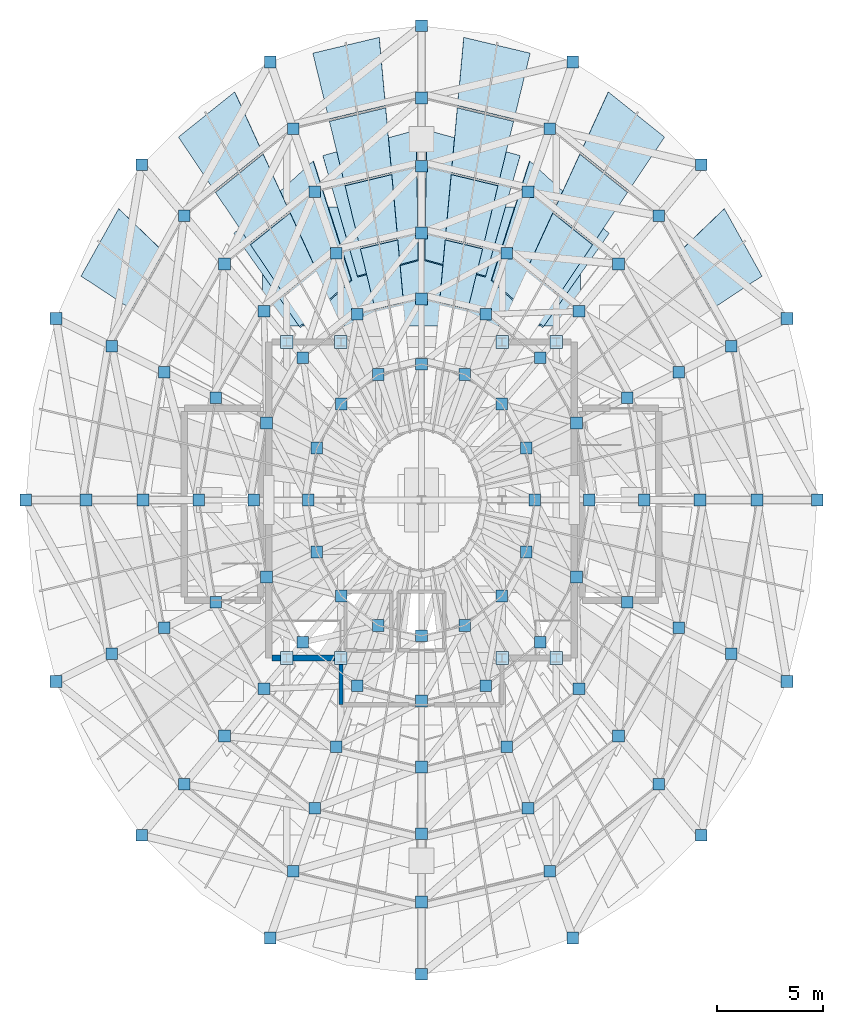
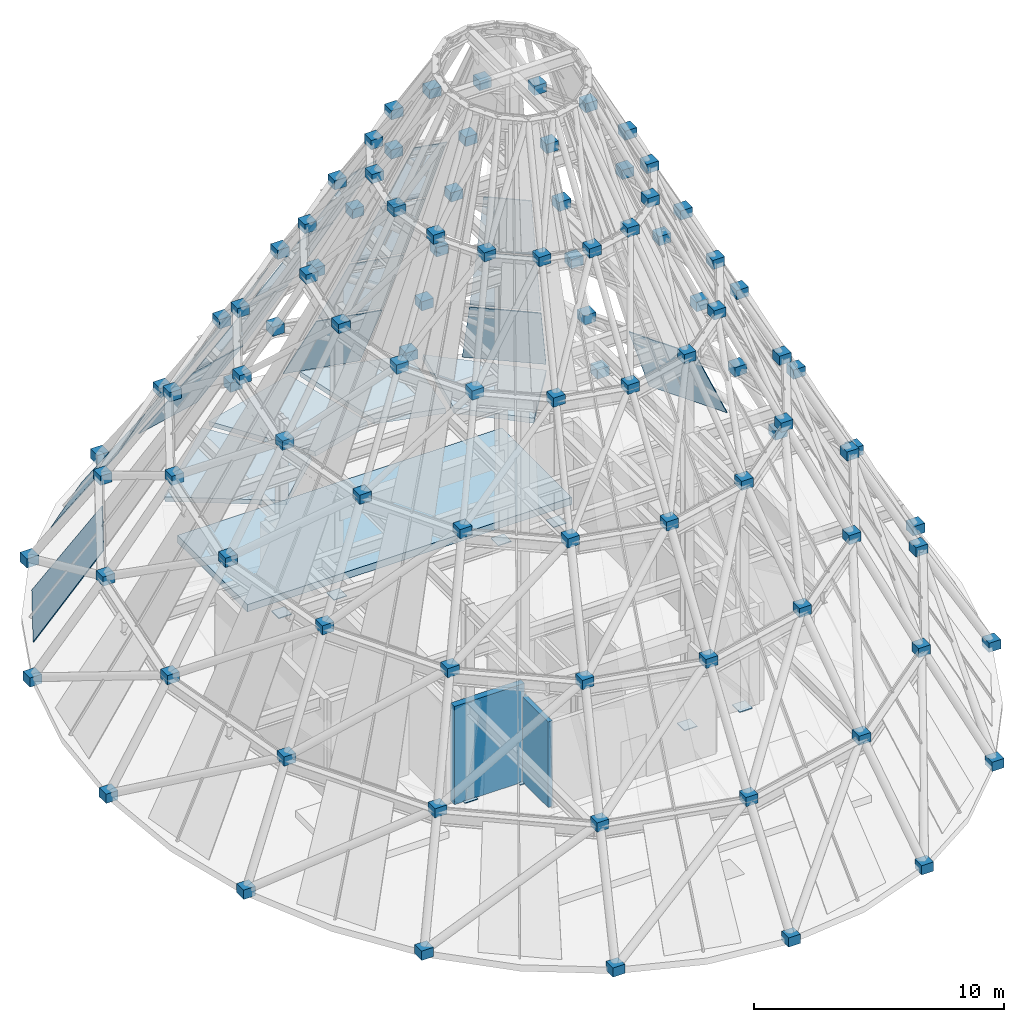
# One storey, part 13 of 16: 120 plates, 5 slabs, 2 walls, 4 elements without a shape of their own.
"""IFC4 building model written with IfcOpenShell, lengths in metres."""

from ifc_helpers import new_model, si_unit, direction, frame, frame_2d, origin, origin_2d, place, context, subcontext, project, spatial, polyline, rectangle, outline, extrude, material, layer, layer_set, type_object, element, aggregate, save


model = new_model("IFC4")

# Units and contexts
model_context = context("Model", 3, precision=1e-05, world=origin(), true_north=direction((0.0, 1.0)))
body_context = subcontext(model_context, "Body", "Model", "MODEL_VIEW")
ifc_project = project(units=[si_unit("LENGTHUNIT", "METRE"), si_unit("AREAUNIT", "SQUARE_METRE"), si_unit("VOLUMEUNIT", "CUBIC_METRE"), si_unit("PLANEANGLEUNIT", "RADIAN"), si_unit("MASSUNIT", "GRAM", prefix="KILO")], contexts=[model_context])

# Site, building, storey
site_placement = place(None, origin())
site = spatial("IfcSite", under=ifc_project, at=site_placement, CompositionType="ELEMENT")
building_placement = place(site_placement, origin())
building = spatial("IfcBuilding", under=site, at=building_placement, Name="Veldorina Hangang Commons", CompositionType="ELEMENT")
storey_placement = place(building_placement, frame((0.0, 0.0, 308.39990234375)))
storey = spatial("IfcBuildingStorey", under=building, at=storey_placement, Name="Crown", CompositionType="ELEMENT", Elevation=308.39990234375)

# Curtain wall, plates
ifc_material_1 = material(Name="Glass Low-Iron Laminated", Category="glass")
ifc_layer_1 = layer(ifc_material_1, 0.179931640625)
ifc_layer_set_1 = layer_set([ifc_layer_1], Name="Glass Low-Iron Laminated")
curtain_wall_type = type_object("IfcCurtainWallType", Name="CW-SYS-CRN", PredefinedType="NOTDEFINED", material=ifc_layer_set_1)
curtain_wall_1_placement = place(storey_placement, origin())
curtain_wall_1 = element("IfcCurtainWall", 1, at=curtain_wall_1_placement, inside=storey, type_object=curtain_wall_type, Name="Crown glass-point sloped pyramidal curtain wall tier 1", PredefinedType="NOTDEFINED")
ifc_layer_2 = layer(ifc_material_1, 0.035888671875)
ifc_layer_set_2 = layer_set([ifc_layer_2], Name="Glass Low-Iron Laminated")
plate_type_1 = type_object("IfcPlateType", Name="CW-PNL-CRN", PredefinedType="CURTAIN_PANEL", material=ifc_layer_set_2)
plate_1_placement = place(storey_placement, frame((48.04931640625, 34.551025390625, 0.09619140625), z_axis=(0.745891079504, 0.415883856679, 0.52027599913), x_axis=(-0.486984811339, 0.873410438182, 6.24931e-07)))
plate_1 = element("IfcPlate", 2, at=plate_1_placement, type_object=plate_type_1, Name="CW-CRN-T1 sloped laminated glass facet 2", PredefinedType="CURTAIN_PANEL", context=body_context, shape_type="SweptSolid", body=[
    extrude(outline(polyline([(0.0, 0.0), (3.6416015625, 0.0), (2.90283203125, 5.395751953125), (-0.205078125, 5.395751953125), (0.0, 0.0)])), origin(), (0.0, 0.0, -1.0), 0.035888671875),
])
plate_2_placement = place(storey_placement, frame((43.45849609375, 41.108154296875, 0.09619140625), z_axis=(0.523450971717, 0.653737869914, 0.546466721447), x_axis=(-0.780603142251, 0.625026986828, 6.701832e-06)))
plate_2 = element("IfcPlate", 3, at=plate_2_placement, type_object=plate_type_1, Name="CW-CRN-T1 sloped laminated glass facet 3", PredefinedType="CURTAIN_PANEL", context=body_context, shape_type="SweptSolid", body=[
    extrude(outline(polyline([(0.0, 0.0), (3.400390625, 0.0), (2.645751953125, 5.502197265625), (-0.25634765625, 5.502197265625), (0.0, 0.0)])), origin(), (0.0, 0.0, -1.0), 0.035888671875),
])
plate_3_placement = place(storey_placement, frame((37.123046875, 45.060791015625, 0.09619140625), z_axis=(0.19088125261, 0.800892584871, 0.567569744526), x_axis=(-0.972750279319, 0.231855329204, -2.0124626e-05)))
plate_3 = element("IfcPlate", 4, at=plate_3_placement, type_object=plate_type_1, Name="CW-CRN-T1 sloped laminated glass facet 4", PredefinedType="CURTAIN_PANEL", context=body_context, shape_type="SweptSolid", body=[
    extrude(outline(polyline([(0.0, 0.0), (3.218505859375, 0.0), (2.761474609375, 5.5966796875), (0.0146484375, 5.5966796875), (0.0, 0.0)])), origin(), (0.0, 0.0, -1.0), 0.035888671875),
])
plate_4_placement = place(storey_placement, frame((30.0078125, 45.80712890625, 0.09619140625), z_axis=(-0.19088125261, 0.800892584871, 0.567569744526), x_axis=(-0.972750279319, -0.231855329204, 2.0124626e-05)))
plate_4 = element("IfcPlate", 5, at=plate_4_placement, type_object=plate_type_1, Name="CW-CRN-T1 sloped laminated glass facet 5", PredefinedType="CURTAIN_PANEL", context=body_context, shape_type="SweptSolid", body=[
    extrude(outline(polyline([(0.0, 0.0), (3.218505859375, 0.0), (3.2041015625, 5.5966796875), (0.45703125, 5.5966796875), (0.0, 0.0)])), origin(), (0.0, 0.0, -1.0), 0.035888671875),
])
plate_5_placement = place(storey_placement, frame((23.19580078125, 43.2333984375, 0.09619140625), z_axis=(-0.523450971717, 0.653737869914, 0.546466721447), x_axis=(-0.780603142251, -0.625026986828, -6.701832e-06)))
plate_5 = element("IfcPlate", 6, at=plate_5_placement, type_object=plate_type_1, Name="CW-CRN-T1 sloped laminated glass facet 6", PredefinedType="CURTAIN_PANEL", context=body_context, shape_type="SweptSolid", body=[
    extrude(outline(polyline([(0.0, 0.0), (3.400390625, 0.0), (3.656494140625, 5.502197265625), (0.75439453125, 5.502197265625), (0.0, 0.0)])), origin(), (0.0, 0.0, -1.0), 0.035888671875),
])
plate_6_placement = place(storey_placement, frame((17.72412109375, 37.731689453125, 0.09619140625), z_axis=(-0.745891079504, 0.415883856679, 0.52027599913), x_axis=(-0.486984811339, -0.873410438182, -6.24931e-07)))
plate_6 = element("IfcPlate", 7, at=plate_6_placement, type_object=plate_type_1, Name="CW-CRN-T1 sloped laminated glass facet 7", PredefinedType="CURTAIN_PANEL", context=body_context, shape_type="SweptSolid", body=[
    extrude(outline(polyline([(0.0, 0.0), (3.6416015625, 0.0), (3.8466796875, 5.395751953125), (0.739013671875, 5.395751953125), (0.0, 0.0)])), origin(), (0.0, 0.0, -1.0), 0.035888671875),
])
aggregate(curtain_wall_1, [plate_1, plate_2, plate_3, plate_4, plate_5, plate_6])

curtain_wall_2_placement = place(storey_placement, origin())
curtain_wall_2 = element("IfcCurtainWall", 8, at=curtain_wall_2_placement, inside=storey, type_object=curtain_wall_type, Name="Crown glass-point sloped pyramidal curtain wall tier 2", PredefinedType="NOTDEFINED")
plate_7_placement = place(storey_placement, frame((41.711181640625, 38.499267578125, 4.89599609375), z_axis=(0.531988143177, 0.664376631649, 0.524968862732), x_axis=(-0.780589159921, 0.625044449149, -1.42482e-06)))
plate_7 = element("IfcPlate", 9, at=plate_7_placement, type_object=plate_type_1, Name="CW-CRN-T2 sloped laminated glass facet 3", PredefinedType="CURTAIN_PANEL", context=body_context, shape_type="SweptSolid", body=[
    extrude(outline(polyline([(0.0, 0.0), (2.8818359375, 0.0), (2.16845703125, 5.414306640625), (-0.242431640625, 5.414306640625), (0.0, 0.0)])), origin(), (0.0, 0.0, -1.0), 0.035888671875),
])
plate_8_placement = place(storey_placement, frame((36.341796875, 41.84912109375, 4.89599609375), z_axis=(0.194323465566, 0.814982569707, 0.545932048705), x_axis=(-0.972732985938, 0.23192787213, 1.4052451e-05)))
plate_8 = element("IfcPlate", 10, at=plate_8_placement, type_object=plate_type_1, Name="CW-CRN-T2 sloped laminated glass facet 4", PredefinedType="CURTAIN_PANEL", context=body_context, shape_type="SweptSolid", body=[
    extrude(outline(polyline([(0.0, 0.0), (2.727783203125, 0.0), (2.29541015625, 5.5), (0.013671875, 5.500244140625), (0.0, 0.0)])), origin(), (0.0, 0.0, -1.0), 0.035888671875),
])
plate_9_placement = place(storey_placement, frame((30.3115234375, 42.481689453125, 4.89599609375), z_axis=(-0.194323465566, 0.814982569707, 0.545932048705), x_axis=(-0.972732985938, -0.23192787213, -1.4052451e-05)))
plate_9 = element("IfcPlate", 11, at=plate_9_placement, type_object=plate_type_1, Name="CW-CRN-T2 sloped laminated glass facet 5", PredefinedType="CURTAIN_PANEL", context=body_context, shape_type="SweptSolid", body=[
    extrude(outline(polyline([(0.0, 0.0), (2.727783203125, 0.0), (2.7138671875, 5.500244140625), (0.43212890625, 5.5), (0.0, 0.0)])), origin(), (0.0, 0.0, -1.0), 0.035888671875),
])
plate_10_placement = place(storey_placement, frame((24.538330078125, 40.300537109375, 4.89599609375), z_axis=(-0.531988143177, 0.664376631649, 0.524968862732), x_axis=(-0.780589159921, -0.625044449149, 1.42482e-06)))
plate_10 = element("IfcPlate", 12, at=plate_10_placement, type_object=plate_type_1, Name="CW-CRN-T2 sloped laminated glass facet 6", PredefinedType="CURTAIN_PANEL", context=body_context, shape_type="SweptSolid", body=[
    extrude(outline(polyline([(0.0, 0.0), (2.8818359375, 0.0), (3.1240234375, 5.414306640625), (0.71337890625, 5.414306640625), (0.0, 0.0)])), origin(), (0.0, 0.0, -1.0), 0.035888671875),
])
aggregate(curtain_wall_2, [plate_7, plate_8, plate_9, plate_10])

curtain_wall_3_placement = place(storey_placement, origin())
curtain_wall_3 = element("IfcCurtainWall", 13, at=curtain_wall_3_placement, inside=storey, type_object=curtain_wall_type, Name="Crown glass-point sloped pyramidal curtain wall tier 3", PredefinedType="NOTDEFINED")
plate_11_placement = place(storey_placement, frame((40.05810546875, 36.031494140625, 9.696044921875), z_axis=(0.535002377224, 0.668196785729, 0.516996626591), x_axis=(-0.780603073659, 0.625027071706, -3.2070288e-05)))
plate_11 = element("IfcPlate", 14, at=plate_11_placement, type_object=plate_type_1, Name="CW-CRN-T3 sloped laminated glass facet 3", PredefinedType="CURTAIN_PANEL", context=body_context, shape_type="SweptSolid", body=[
    extrude(outline(polyline([(0.0, 0.0), (2.39111328125, 0.0), (1.6923828125, 5.383544921875), (-0.237548828125, 5.38330078125), (0.0, 0.0)])), origin(), (0.0, 0.0, -1.0), 0.035888671875),
])
plate_12_placement = place(storey_placement, frame((35.602783203125, 38.811279296875, 9.696044921875), z_axis=(0.195447476594, 0.820034005811, 0.537907532208), x_axis=(-0.972754896713, 0.231835956301, 1.695825e-05)))
plate_12 = element("IfcPlate", 15, at=plate_12_placement, type_object=plate_type_1, Name="CW-CRN-T3 sloped laminated glass facet 4", PredefinedType="CURTAIN_PANEL", context=body_context, shape_type="SweptSolid", body=[
    extrude(outline(polyline([(0.0, 0.0), (2.263427734375, 0.0), (1.840576171875, 5.46630859375), (0.013916015625, 5.46630859375), (0.0, 0.0)])), origin(), (0.0, 0.0, -1.0), 0.035888671875),
])
plate_13_placement = place(storey_placement, frame((30.598876953125, 39.3359375, 9.696044921875), z_axis=(-0.195447476594, 0.820034005811, 0.537907532208), x_axis=(-0.972754896713, -0.231835956301, -1.695825e-05)))
plate_13 = element("IfcPlate", 16, at=plate_13_placement, type_object=plate_type_1, Name="CW-CRN-T3 sloped laminated glass facet 5", PredefinedType="CURTAIN_PANEL", context=body_context, shape_type="SweptSolid", body=[
    extrude(outline(polyline([(0.0, 0.0), (2.263427734375, 0.0), (2.24951171875, 5.46630859375), (0.4228515625, 5.46630859375), (0.0, 0.0)])), origin(), (0.0, 0.0, -1.0), 0.035888671875),
])
plate_14_placement = place(storey_placement, frame((25.808349609375, 37.526123046875, 9.696044921875), z_axis=(-0.535002377224, 0.668196785729, 0.516996626591), x_axis=(-0.780603073659, -0.625027071706, 3.2070288e-05)))
plate_14 = element("IfcPlate", 17, at=plate_14_placement, type_object=plate_type_1, Name="CW-CRN-T3 sloped laminated glass facet 6", PredefinedType="CURTAIN_PANEL", context=body_context, shape_type="SweptSolid", body=[
    extrude(outline(polyline([(0.0, 0.0), (2.39111328125, 0.0), (2.628662109375, 5.38330078125), (0.69873046875, 5.383544921875), (0.0, 0.0)])), origin(), (0.0, 0.0, -1.0), 0.035888671875),
])
aggregate(curtain_wall_3, [plate_11, plate_12, plate_13, plate_14])

curtain_wall_4_placement = place(storey_placement, origin())
curtain_wall_4 = element("IfcCurtainWall", 18, at=curtain_wall_4_placement, inside=storey, type_object=curtain_wall_type, Name="Crown glass-point sloped pyramidal curtain wall tier 4", PredefinedType="NOTDEFINED")
plate_15_placement = place(storey_placement, frame((34.87890625, 35.835693359375, 14.49609375), z_axis=(0.19626957727, 0.823204014874, 0.532741403435), x_axis=(-0.972735215517, 0.231918521206, 3.888876e-06)))
plate_15 = element("IfcPlate", 19, at=plate_15_placement, type_object=plate_type_1, Name="CW-CRN-T4 sloped laminated glass facet 4", PredefinedType="CURTAIN_PANEL", context=body_context, shape_type="SweptSolid", body=[
    extrude(outline(polyline([(0.0, 0.0), (1.80859375, 0.0), (1.39111328125, 5.44482421875), (0.01318359375, 5.44482421875), (0.0, 0.0)])), origin(), (0.0, 0.0, -1.0), 0.035888671875),
])
plate_16_placement = place(storey_placement, frame((30.88037109375, 36.255126953125, 14.49609375), z_axis=(-0.19626957727, 0.823204014874, 0.532741403435), x_axis=(-0.972735215517, -0.231918521206, -3.888876e-06)))
plate_16 = element("IfcPlate", 20, at=plate_16_placement, type_object=plate_type_1, Name="CW-CRN-T4 sloped laminated glass facet 5", PredefinedType="CURTAIN_PANEL", context=body_context, shape_type="SweptSolid", body=[
    extrude(outline(polyline([(0.0, 0.0), (1.80859375, 0.0), (1.79541015625, 5.44482421875), (0.41748046875, 5.44482421875), (0.0, 0.0)])), origin(), (0.0, 0.0, -1.0), 0.035888671875),
])
aggregate(curtain_wall_4, [plate_15, plate_16])

# Plates
ifc_material_2 = material(Name="Steel SM460-TMC", Category="steel")
ifc_layer_3 = layer(ifc_material_2, 0.035888671875)
ifc_layer_set_3 = layer_set([ifc_layer_3], Name="Steel SM460-TMC")
plate_type_2 = type_object("IfcPlateType", Name="PL-STAR-36", PredefinedType="USERDEFINED", material=ifc_layer_set_3)
for number, where, z_axis, x_axis, name in (
    (21, (25.64990234375, 16.550048828125, 0.0), (0.0, 0.0, 1.0), (1.0, 0.0, 0.0), "Crown tier 1 outer core post SW base gusset plate"),
    (22, (38.35009765625, 16.550048828125, 0.0), (0.0, 0.0, 1.0), (1.0, 0.0, 0.0), "Crown tier 1 outer core post SE base gusset plate"),
    (23, (25.64990234375, 31.449951171875, 0.0), (0.0, 0.0, 1.0), (1.0, 0.0, 0.0), "Crown tier 1 outer core post NW base gusset plate"),
    (24, (38.35009765625, 31.449951171875, 0.0), (0.0, 0.0, 1.0), (1.0, 0.0, 0.0), "Crown tier 1 outer core post NE base gusset plate"),
    (25, (28.199951171875, 16.550048828125, 0.0), (0.0, 0.0, 1.0), (1.0, 0.0, 0.0), "Crown tier 1 inner core post ISW base gusset plate"),
    (26, (35.800048828125, 16.550048828125, 0.0), (0.0, 0.0, 1.0), (1.0, 0.0, 0.0), "Crown tier 1 inner core post ISE base gusset plate"),
    (27, (28.199951171875, 31.449951171875, 0.0), (0.0, 0.0, 1.0), (1.0, 0.0, 0.0), "Crown tier 1 inner core post INW base gusset plate"),
    (28, (35.800048828125, 31.449951171875, 0.0), (0.0, 0.0, 1.0), (1.0, 0.0, 0.0), "Crown tier 1 inner core post INE base gusset plate"),
):
    element("IfcPlate", number, at=place(storey_placement, frame(where, z_axis=z_axis, x_axis=x_axis)), inside=storey, type_object=plate_type_2, Name=name, ObjectType="GUSSET PLATE", PredefinedType="USERDEFINED", context=body_context, shape_type="SweptSolid", body=[
        extrude(rectangle(XDim=0.60009765625, YDim=0.60009765625, at=origin_2d()), origin(), (0.0, 0.0, 1.0), 0.035888671875),
    ])
for number, where, z_axis, x_axis, name in (
    (29, (50.64990234375, 24.0, -0.22509765625), (0.0, 0.0, 1.0), (1.0, 0.0, 0.0), "Crown tier 1 node gusset plate 00"),
    (30, (49.23046875, 32.552978515625, -0.22509765625), (0.0, 0.0, 1.0), (1.0, 0.0, 0.0), "Crown tier 1 node gusset plate 01"),
    (31, (45.1875, 39.8037109375, -0.22509765625), (0.0, 0.0, 1.0), (1.0, 0.0, 0.0), "Crown tier 1 node gusset plate 02"),
    (32, (39.136962890625, 44.648681640625, -0.22509765625), (0.0, 0.0, 1.0), (1.0, 0.0, 0.0), "Crown tier 1 node gusset plate 03"),
    (33, (32.0, 46.35009765625, -0.22509765625), (0.0, 0.0, 1.0), (1.0, 0.0, 0.0), "Crown tier 1 node gusset plate 04"),
    (34, (24.863037109375, 44.648681640625, -0.22509765625), (0.0, 0.0, 1.0), (1.0, 0.0, 0.0), "Crown tier 1 node gusset plate 05"),
    (35, (18.8125, 39.8037109375, -0.22509765625), (0.0, 0.0, 1.0), (1.0, 0.0, 0.0), "Crown tier 1 node gusset plate 06"),
    (36, (14.76953125, 32.552978515625, -0.22509765625), (0.0, 0.0, 1.0), (1.0, 0.0, 0.0), "Crown tier 1 node gusset plate 07"),
    (37, (13.35009765625, 24.0, -0.22509765625), (0.0, 0.0, 1.0), (1.0, 0.0, 0.0), "Crown tier 1 node gusset plate 08"),
    (38, (14.76953125, 15.447021484375, -0.22509765625), (0.0, 0.0, 1.0), (1.0, 0.0, 0.0), "Crown tier 1 node gusset plate 09"),
    (39, (18.8125, 8.1962890625, -0.22509765625), (0.0, 0.0, 1.0), (1.0, 0.0, 0.0), "Crown tier 1 node gusset plate 10"),
    (40, (24.863037109375, 3.351318359375, -0.22509765625), (0.0, 0.0, 1.0), (1.0, 0.0, 0.0), "Crown tier 1 node gusset plate 11"),
    (41, (32.0, 1.64990234375, -0.22509765625), (0.0, 0.0, 1.0), (1.0, 0.0, 0.0), "Crown tier 1 node gusset plate 12"),
    (42, (39.136962890625, 3.351318359375, -0.22509765625), (0.0, 0.0, 1.0), (1.0, 0.0, 0.0), "Crown tier 1 node gusset plate 13"),
    (43, (45.1875, 8.1962890625, -0.22509765625), (0.0, 0.0, 1.0), (1.0, 0.0, 0.0), "Crown tier 1 node gusset plate 14"),
    (44, (49.23046875, 15.447021484375, -0.22509765625), (0.0, 0.0, 1.0), (1.0, 0.0, 0.0), "Crown tier 1 node gusset plate 15"),
    (45, (47.8115234375, 24.0, 4.5751953125), (0.0, 0.0, 1.0), (1.0, 0.0, 0.0), "Crown tier 2 node gusset plate 00"),
    (46, (46.60791015625, 31.251220703125, 4.5751953125), (0.0, 0.0, 1.0), (1.0, 0.0, 0.0), "Crown tier 2 node gusset plate 01"),
    (47, (43.180419921875, 37.398681640625, 4.5751953125), (0.0, 0.0, 1.0), (1.0, 0.0, 0.0), "Crown tier 2 node gusset plate 02"),
    (48, (38.05078125, 41.506103515625, 4.5751953125), (0.0, 0.0, 1.0), (1.0, 0.0, 0.0), "Crown tier 2 node gusset plate 03"),
    (49, (32.0, 42.948486328125, 4.5751953125), (0.0, 0.0, 1.0), (1.0, 0.0, 0.0), "Crown tier 2 node gusset plate 04"),
    (50, (25.94921875, 41.506103515625, 4.5751953125), (0.0, 0.0, 1.0), (1.0, 0.0, 0.0), "Crown tier 2 node gusset plate 05"),
    (51, (20.819580078125, 37.398681640625, 4.5751953125), (0.0, 0.0, 1.0), (1.0, 0.0, 0.0), "Crown tier 2 node gusset plate 06"),
    (52, (17.39208984375, 31.251220703125, 4.5751953125), (0.0, 0.0, 1.0), (1.0, 0.0, 0.0), "Crown tier 2 node gusset plate 07"),
    (53, (16.1884765625, 24.0, 4.5751953125), (0.0, 0.0, 1.0), (1.0, 0.0, 0.0), "Crown tier 2 node gusset plate 08"),
    (54, (17.39208984375, 16.748779296875, 4.5751953125), (0.0, 0.0, 1.0), (1.0, 0.0, 0.0), "Crown tier 2 node gusset plate 09"),
    (55, (20.819580078125, 10.601318359375, 4.5751953125), (0.0, 0.0, 1.0), (1.0, 0.0, 0.0), "Crown tier 2 node gusset plate 10"),
    (56, (25.94921875, 6.493896484375, 4.5751953125), (0.0, 0.0, 1.0), (1.0, 0.0, 0.0), "Crown tier 2 node gusset plate 11"),
    (57, (32.0, 5.051513671875, 4.5751953125), (0.0, 0.0, 1.0), (1.0, 0.0, 0.0), "Crown tier 2 node gusset plate 12"),
    (58, (38.05078125, 6.493896484375, 4.5751953125), (0.0, 0.0, 1.0), (1.0, 0.0, 0.0), "Crown tier 2 node gusset plate 13"),
    (59, (43.180419921875, 10.601318359375, 4.5751953125), (0.0, 0.0, 1.0), (1.0, 0.0, 0.0), "Crown tier 2 node gusset plate 14"),
    (60, (46.60791015625, 16.748779296875, 4.5751953125), (0.0, 0.0, 1.0), (1.0, 0.0, 0.0), "Crown tier 2 node gusset plate 15"),
    (61, (45.12841796875, 24.0, 9.375), (0.0, 0.0, 1.0), (1.0, 0.0, 0.0), "Crown tier 3 node gusset plate 00"),
    (62, (44.129150390625, 30.020751953125, 9.375), (0.0, 0.0, 1.0), (1.0, 0.0, 0.0), "Crown tier 3 node gusset plate 01"),
    (63, (41.283203125, 35.125, 9.375), (0.0, 0.0, 1.0), (1.0, 0.0, 0.0), "Crown tier 3 node gusset plate 02"),
    (64, (37.02392578125, 38.535400390625, 9.375), (0.0, 0.0, 1.0), (1.0, 0.0, 0.0), "Crown tier 3 node gusset plate 03"),
    (65, (32.0, 39.73291015625, 9.375), (0.0, 0.0, 1.0), (1.0, 0.0, 0.0), "Crown tier 3 node gusset plate 04"),
    (66, (26.97607421875, 38.535400390625, 9.375), (0.0, 0.0, 1.0), (1.0, 0.0, 0.0), "Crown tier 3 node gusset plate 05"),
    (67, (22.716796875, 35.125, 9.375), (0.0, 0.0, 1.0), (1.0, 0.0, 0.0), "Crown tier 3 node gusset plate 06"),
    (68, (19.870849609375, 30.020751953125, 9.375), (0.0, 0.0, 1.0), (1.0, 0.0, 0.0), "Crown tier 3 node gusset plate 07"),
    (69, (18.87158203125, 24.0, 9.375), (0.0, 0.0, 1.0), (1.0, 0.0, 0.0), "Crown tier 3 node gusset plate 08"),
    (70, (19.870849609375, 17.979248046875, 9.375), (0.0, 0.0, 1.0), (1.0, 0.0, 0.0), "Crown tier 3 node gusset plate 09"),
    (71, (22.716796875, 12.875, 9.375), (0.0, 0.0, 1.0), (1.0, 0.0, 0.0), "Crown tier 3 node gusset plate 10"),
    (72, (26.97607421875, 9.464599609375, 9.375), (0.0, 0.0, 1.0), (1.0, 0.0, 0.0), "Crown tier 3 node gusset plate 11"),
    (73, (32.0, 8.26708984375, 9.375), (0.0, 0.0, 1.0), (1.0, 0.0, 0.0), "Crown tier 3 node gusset plate 12"),
    (74, (37.02392578125, 9.464599609375, 9.375), (0.0, 0.0, 1.0), (1.0, 0.0, 0.0), "Crown tier 3 node gusset plate 13"),
    (75, (41.283203125, 12.875, 9.375), (0.0, 0.0, 1.0), (1.0, 0.0, 0.0), "Crown tier 3 node gusset plate 14"),
    (76, (44.129150390625, 17.979248046875, 9.375), (0.0, 0.0, 1.0), (1.0, 0.0, 0.0), "Crown tier 3 node gusset plate 15"),
    (77, (42.5009765625, 24.0, 14.17529296875), (0.0, 0.0, 1.0), (1.0, 0.0, 0.0), "Crown tier 4 node gusset plate 00"),
    (78, (41.70166015625, 28.81591796875, 14.17529296875), (0.0, 0.0, 1.0), (1.0, 0.0, 0.0), "Crown tier 4 node gusset plate 01"),
    (79, (39.42529296875, 32.8984375, 14.17529296875), (0.0, 0.0, 1.0), (1.0, 0.0, 0.0), "Crown tier 4 node gusset plate 02"),
    (80, (36.0185546875, 35.626220703125, 14.17529296875), (0.0, 0.0, 1.0), (1.0, 0.0, 0.0), "Crown tier 4 node gusset plate 03"),
    (81, (32.0, 36.584228515625, 14.17529296875), (0.0, 0.0, 1.0), (1.0, 0.0, 0.0), "Crown tier 4 node gusset plate 04"),
    (82, (27.9814453125, 35.626220703125, 14.17529296875), (0.0, 0.0, 1.0), (1.0, 0.0, 0.0), "Crown tier 4 node gusset plate 05"),
    (83, (24.57470703125, 32.8984375, 14.17529296875), (0.0, 0.0, 1.0), (1.0, 0.0, 0.0), "Crown tier 4 node gusset plate 06"),
    (84, (22.29833984375, 28.81591796875, 14.17529296875), (0.0, 0.0, 1.0), (1.0, 0.0, 0.0), "Crown tier 4 node gusset plate 07"),
    (85, (21.4990234375, 24.0, 14.17529296875), (0.0, 0.0, 1.0), (1.0, 0.0, 0.0), "Crown tier 4 node gusset plate 08"),
    (86, (22.29833984375, 19.18408203125, 14.17529296875), (0.0, 0.0, 1.0), (1.0, 0.0, 0.0), "Crown tier 4 node gusset plate 09"),
    (87, (24.57470703125, 15.1015625, 14.17529296875), (0.0, 0.0, 1.0), (1.0, 0.0, 0.0), "Crown tier 4 node gusset plate 10"),
    (88, (27.9814453125, 12.373779296875, 14.17529296875), (0.0, 0.0, 1.0), (1.0, 0.0, 0.0), "Crown tier 4 node gusset plate 11"),
    (89, (32.0, 11.415771484375, 14.17529296875), (0.0, 0.0, 1.0), (1.0, 0.0, 0.0), "Crown tier 4 node gusset plate 12"),
    (90, (36.0185546875, 12.373779296875, 14.17529296875), (0.0, 0.0, 1.0), (1.0, 0.0, 0.0), "Crown tier 4 node gusset plate 13"),
    (91, (39.42529296875, 15.1015625, 14.17529296875), (0.0, 0.0, 1.0), (1.0, 0.0, 0.0), "Crown tier 4 node gusset plate 14"),
    (92, (41.70166015625, 19.18408203125, 14.17529296875), (0.0, 0.0, 1.0), (1.0, 0.0, 0.0), "Crown tier 4 node gusset plate 15"),
    (93, (39.908935546875, 24.0, 18.97509765625), (0.0, 0.0, 1.0), (1.0, 0.0, 0.0), "Crown tier 5 node gusset plate 00"),
    (94, (39.306884765625, 27.626953125, 18.97509765625), (0.0, 0.0, 1.0), (1.0, 0.0, 0.0), "Crown tier 5 node gusset plate 01"),
    (95, (37.59228515625, 30.701904296875, 18.97509765625), (0.0, 0.0, 1.0), (1.0, 0.0, 0.0), "Crown tier 5 node gusset plate 02"),
    (96, (35.026611328125, 32.75634765625, 18.97509765625), (0.0, 0.0, 1.0), (1.0, 0.0, 0.0), "Crown tier 5 node gusset plate 03"),
    (97, (32.0, 33.477783203125, 18.97509765625), (0.0, 0.0, 1.0), (1.0, 0.0, 0.0), "Crown tier 5 node gusset plate 04"),
    (98, (28.973388671875, 32.75634765625, 18.97509765625), (0.0, 0.0, 1.0), (1.0, 0.0, 0.0), "Crown tier 5 node gusset plate 05"),
    (99, (26.40771484375, 30.701904296875, 18.97509765625), (0.0, 0.0, 1.0), (1.0, 0.0, 0.0), "Crown tier 5 node gusset plate 06"),
    (100, (24.693115234375, 27.626953125, 18.97509765625), (0.0, 0.0, 1.0), (1.0, 0.0, 0.0), "Crown tier 5 node gusset plate 07"),
    (101, (24.091064453125, 24.0, 18.97509765625), (0.0, 0.0, 1.0), (1.0, 0.0, 0.0), "Crown tier 5 node gusset plate 08"),
    (102, (24.693115234375, 20.373046875, 18.97509765625), (0.0, 0.0, 1.0), (1.0, 0.0, 0.0), "Crown tier 5 node gusset plate 09"),
    (103, (26.40771484375, 17.298095703125, 18.97509765625), (0.0, 0.0, 1.0), (1.0, 0.0, 0.0), "Crown tier 5 node gusset plate 10"),
    (104, (28.973388671875, 15.24365234375, 18.97509765625), (0.0, 0.0, 1.0), (1.0, 0.0, 0.0), "Crown tier 5 node gusset plate 11"),
    (105, (32.0, 14.522216796875, 18.97509765625), (0.0, 0.0, 1.0), (1.0, 0.0, 0.0), "Crown tier 5 node gusset plate 12"),
    (106, (35.026611328125, 15.24365234375, 18.97509765625), (0.0, 0.0, 1.0), (1.0, 0.0, 0.0), "Crown tier 5 node gusset plate 13"),
    (107, (37.59228515625, 17.298095703125, 18.97509765625), (0.0, 0.0, 1.0), (1.0, 0.0, 0.0), "Crown tier 5 node gusset plate 14"),
    (108, (39.306884765625, 20.373046875, 18.97509765625), (0.0, 0.0, 1.0), (1.0, 0.0, 0.0), "Crown tier 5 node gusset plate 15"),
    (109, (37.343017578125, 24.0, 23.77490234375), (0.0, 0.0, 1.0), (1.0, 0.0, 0.0), "Crown tier 6 node gusset plate 00"),
    (110, (36.936279296875, 26.4501953125, 23.77490234375), (0.0, 0.0, 1.0), (1.0, 0.0, 0.0), "Crown tier 6 node gusset plate 01"),
    (111, (35.778076171875, 28.527587890625, 23.77490234375), (0.0, 0.0, 1.0), (1.0, 0.0, 0.0), "Crown tier 6 node gusset plate 02"),
    (112, (34.044677734375, 29.91552734375, 23.77490234375), (0.0, 0.0, 1.0), (1.0, 0.0, 0.0), "Crown tier 6 node gusset plate 03"),
    (113, (32.0, 30.40283203125, 23.77490234375), (0.0, 0.0, 1.0), (1.0, 0.0, 0.0), "Crown tier 6 node gusset plate 04"),
    (114, (29.955322265625, 29.91552734375, 23.77490234375), (0.0, 0.0, 1.0), (1.0, 0.0, 0.0), "Crown tier 6 node gusset plate 05"),
    (115, (28.221923828125, 28.527587890625, 23.77490234375), (0.0, 0.0, 1.0), (1.0, 0.0, 0.0), "Crown tier 6 node gusset plate 06"),
    (116, (27.063720703125, 26.4501953125, 23.77490234375), (0.0, 0.0, 1.0), (1.0, 0.0, 0.0), "Crown tier 6 node gusset plate 07"),
    (117, (26.656982421875, 24.0, 23.77490234375), (0.0, 0.0, 1.0), (1.0, 0.0, 0.0), "Crown tier 6 node gusset plate 08"),
    (118, (27.063720703125, 21.5498046875, 23.77490234375), (0.0, 0.0, 1.0), (1.0, 0.0, 0.0), "Crown tier 6 node gusset plate 09"),
    (119, (28.221923828125, 19.472412109375, 23.77490234375), (0.0, 0.0, 1.0), (1.0, 0.0, 0.0), "Crown tier 6 node gusset plate 10"),
    (120, (29.955322265625, 18.08447265625, 23.77490234375), (0.0, 0.0, 1.0), (1.0, 0.0, 0.0), "Crown tier 6 node gusset plate 11"),
    (121, (32.0, 17.59716796875, 23.77490234375), (0.0, 0.0, 1.0), (1.0, 0.0, 0.0), "Crown tier 6 node gusset plate 12"),
    (122, (34.044677734375, 18.08447265625, 23.77490234375), (0.0, 0.0, 1.0), (1.0, 0.0, 0.0), "Crown tier 6 node gusset plate 13"),
    (123, (35.778076171875, 19.472412109375, 23.77490234375), (0.0, 0.0, 1.0), (1.0, 0.0, 0.0), "Crown tier 6 node gusset plate 14"),
    (124, (36.936279296875, 21.5498046875, 23.77490234375), (0.0, 0.0, 1.0), (1.0, 0.0, 0.0), "Crown tier 6 node gusset plate 15"),
):
    element("IfcPlate", number, at=place(storey_placement, frame(where, z_axis=z_axis, x_axis=x_axis)), inside=storey, type_object=plate_type_2, Name=name, ObjectType="GUSSET PLATE", PredefinedType="USERDEFINED", context=body_context, shape_type="SweptSolid", body=[
        extrude(rectangle(XDim=0.550048828125, YDim=0.550048828125, at=origin_2d()), origin(), (0.0, 0.0, 1.0), 0.449951171875),
    ])

# Slabs
ifc_material_3 = material(Name="Concrete C45/55", Category="concrete")
ifc_layer_4 = layer(ifc_material_3, 0.219970703125)
ifc_layer_set_4 = layer_set([ifc_layer_4], Name="Concrete C45/55")
slab_type_1 = type_object("IfcSlabType", Name="RF-CRN-SLOPE", PredefinedType="ROOF", material=ifc_layer_set_4)
slab_1_placement = place(storey_placement, frame((40.843505859375, 36.564208984375, 3.4501953125), z_axis=(0.171195247668, 0.18740663781, 0.96724916091), x_axis=(-0.738335061873, 0.674434086008, 6.233446e-06)))
element("IfcSlab", 125, at=slab_1_placement, inside=storey, type_object=slab_type_1, Name="Crown sloped BMU weather roof facet 03", PredefinedType="ROOF", context=body_context, shape_type="SweptSolid", body=[
    extrude(outline(polyline([(0.0, 0.0), (5.06201171875, 0.0), (2.60986328125, 5.51513671875), (-0.680419921875, 5.515380859375), (0.0, 0.0)])), origin(), (0.0, 0.0, -1.0), 0.219970703125),
])
slab_2_placement = place(storey_placement, frame((36.6533203125, 40.234619140625, 3.4501953125), z_axis=(0.060479248421, 0.22240418754, 0.973076892067), x_axis=(-0.964961872153, 0.262390139446, 3.599922e-06)))
element("IfcSlab", 126, at=slab_2_placement, inside=storey, type_object=slab_type_1, Name="Crown sloped BMU weather roof facet 04", PredefinedType="ROOF", context=body_context, shape_type="SweptSolid", body=[
    extrude(outline(polyline([(0.0, 0.0), (4.568603515625, 0.0), (3.05029296875, 6.07373046875), (0.08056640625, 6.073974609375), (0.0, 0.0)])), origin(), (0.0, 0.0, -1.0), 0.219970703125),
])
slab_3_placement = place(storey_placement, frame((31.755126953125, 41.433349609375, 3.4501953125), z_axis=(-0.060479248421, 0.22240418754, 0.973076892067), x_axis=(-0.964961872153, -0.262390139446, -3.599922e-06)))
element("IfcSlab", 127, at=slab_3_placement, inside=storey, type_object=slab_type_1, Name="Crown sloped BMU weather roof facet 05", PredefinedType="ROOF", context=body_context, shape_type="SweptSolid", body=[
    extrude(outline(polyline([(0.0, 0.0), (4.568603515625, 0.0), (4.48779296875, 6.073974609375), (1.518310546875, 6.07373046875), (0.0, 0.0)])), origin(), (0.0, 0.0, -1.0), 0.219970703125),
])
slab_4_placement = place(storey_placement, frame((26.89404296875, 39.978271484375, 3.4501953125), z_axis=(-0.171195247668, 0.18740663781, 0.96724916091), x_axis=(-0.738335061873, -0.674434086008, -6.233446e-06)))
element("IfcSlab", 128, at=slab_4_placement, inside=storey, type_object=slab_type_1, Name="Crown sloped BMU weather roof facet 06", PredefinedType="ROOF", context=body_context, shape_type="SweptSolid", body=[
    extrude(outline(polyline([(0.0, 0.0), (5.06201171875, 0.0), (5.74267578125, 5.515380859375), (2.452392578125, 5.51513671875), (0.0, 0.0)])), origin(), (0.0, 0.0, -1.0), 0.219970703125),
])
ifc_material_4 = material(Name="Concrete C40/50", Category="concrete")
ifc_layer_5 = layer(ifc_material_4, 0.35009765625)
ifc_layer_set_5 = layer_set([ifc_layer_5], Name="Concrete C40/50")
slab_type_2 = type_object("IfcSlabType", Name="SL-BASE-350", PredefinedType="BASESLAB", material=ifc_layer_set_5)
slab_5_placement = place(storey_placement, origin())
element("IfcSlab", 129, at=slab_5_placement, inside=storey, type_object=slab_type_2, Name="Crown mechanical plant concrete plinth 2", PredefinedType="BASESLAB", context=body_context, shape_type="SweptSolid", body=[
    extrude(outline(polyline([(24.5, 32.199951171875), (39.5, 32.199951171875), (39.5, 37.800048828125), (24.5, 37.800048828125), (24.5, 32.199951171875)])), origin(), (0.0, 0.0, 1.0), 0.35009765625),
])

# Walls
ifc_material_5 = material(Name="Concrete C50/60", Category="concrete")
ifc_layer_6 = layer(ifc_material_5, 0.300048828125)
ifc_layer_set_6 = layer_set([ifc_layer_6], Name="Concrete C50/60")
wall_type_1 = type_object("IfcWallType", Name="CW-RC300-C50", PredefinedType="SHEAR", material=ifc_layer_set_6)
wall_1_placement = place(storey_placement, frame((24.949951171875, 16.550048828125, 0.0), z_axis=(0.0, 0.0, 1.0), x_axis=(1.0, 0.0, 0.0)))
element("IfcWall", 130, at=wall_1_placement, inside=storey, type_object=wall_type_1, Name="Crown south-west core shear wall", PredefinedType="SHEAR", context=body_context, shape_type="SweptSolid", body=[
    extrude(rectangle(XDim=3.25, YDim=0.300048828125, at=frame_2d((1.625, 0.0))), origin(), (0.0, 0.0, 1.0), 4.800048828125),
])
ifc_material_6 = material(Name="Concrete Blockwork Fire Wall C30/37", Category="masonry")
ifc_layer_7 = layer(ifc_material_6, 0.199951171875)
ifc_layer_set_7 = layer_set([ifc_layer_7], Name="Concrete Blockwork Fire Wall C30/37")
wall_type_2 = type_object("IfcWallType", Name="WL-FIRE-200", PredefinedType="SOLIDWALL", material=ifc_layer_set_7)
wall_2_placement = place(storey_placement, frame((28.199951171875, 14.35009765625, 0.0), z_axis=(0.0, 0.0, 1.0), x_axis=(0.0, 1.0, 0.0)))
element("IfcWall", 131, at=wall_2_placement, inside=storey, type_object=wall_type_2, Name="Crown FF lobby west wall 001", PredefinedType="SOLIDWALL", context=body_context, shape_type="SweptSolid", body=[
    extrude(rectangle(XDim=2.199951171875, YDim=0.199951171875, at=frame_2d((1.10009765625, 0.0))), origin(), (0.0, 0.0, 1.0), 4.18017578125),
])

save(model, "model.ifc")
